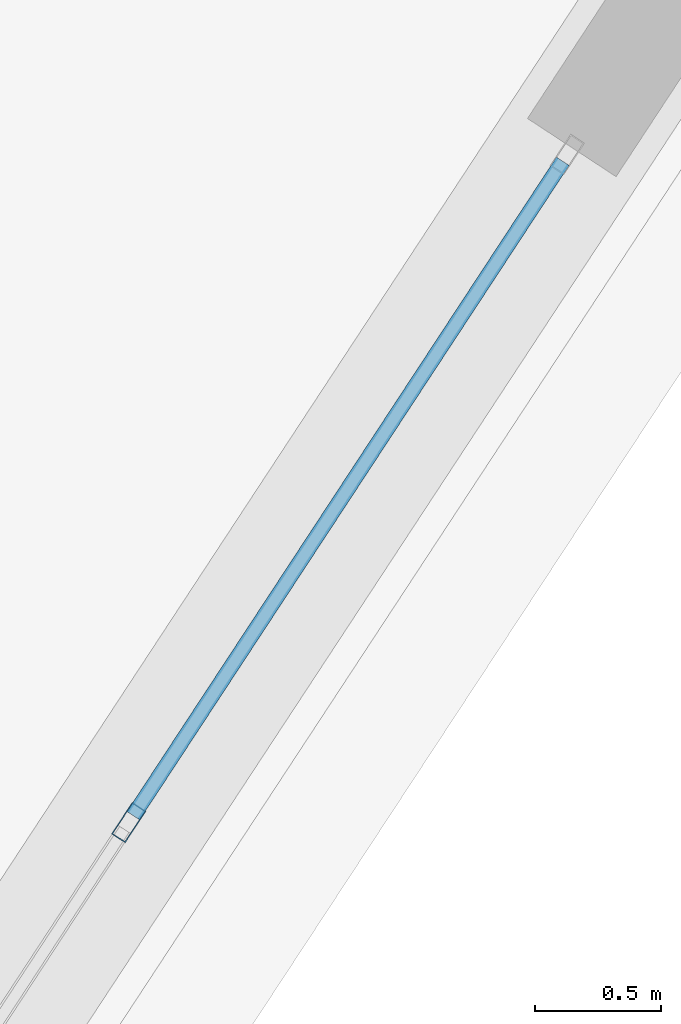
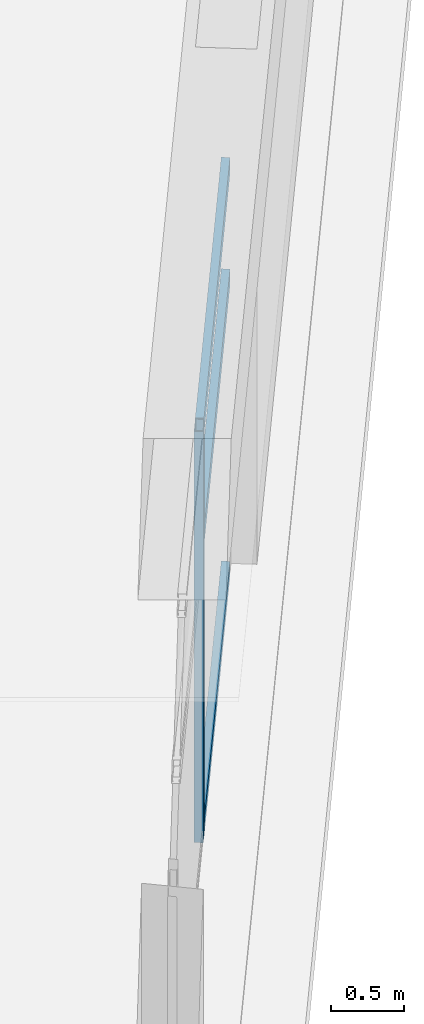
# One storey, part 6 of 30: 4 members, 1 element without a shape of its own.
"""IFC4 building model written with IfcOpenShell, lengths in metres."""

from ifc_helpers import new_model, si_unit, direction, frame, origin, origin_2d, place, context, subcontext, project, spatial, hollow_rectangle, extrude, source, transform, mapped, material, layer, layer_set, material_profile, profile_set, type_object, element, aggregate, save


model = new_model("IFC4")

# Units and contexts
model_context = context("Model", 3, precision=1e-05, world=origin(), true_north=direction((0.0, 1.0)))
body_context = subcontext(model_context, "Body", "Model", "MODEL_VIEW")
ifc_project = project(units=[si_unit("LENGTHUNIT", "METRE"), si_unit("AREAUNIT", "SQUARE_METRE"), si_unit("VOLUMEUNIT", "CUBIC_METRE"), si_unit("PLANEANGLEUNIT", "RADIAN"), si_unit("MASSUNIT", "GRAM", prefix="KILO")], contexts=[model_context])

# Site, building, storey
site_placement = place(None, origin())
site = spatial("IfcSite", under=ifc_project, at=site_placement, CompositionType="ELEMENT")
building_placement = place(site_placement, origin())
building = spatial("IfcBuilding", under=site, at=building_placement, Name="Liaohun Quay Tower", CompositionType="ELEMENT")
storey_placement = place(building_placement, frame((0.0, 0.0, 97.5)))
storey = spatial("IfcBuildingStorey", under=building, at=storey_placement, Name="L25", CompositionType="ELEMENT", Elevation=97.5)

# Curtain wall, members
ifc_material_1 = material(Name="Low-rise sky-lobby belvedere curtain wall")
ifc_layer = layer(ifc_material_1, 0.199951171875, Name="Low-rise sky-lobby belvedere curtain wall")
ifc_layer_set = layer_set([ifc_layer], Name="Low-rise sky-lobby belvedere curtain wall")
curtain_wall_type = type_object("IfcCurtainWallType", Name="CW-SKY-L25", PredefinedType="NOTDEFINED", material=ifc_layer_set)
curtain_wall_placement = place(storey_placement, origin())
curtain_wall = element("IfcCurtainWall", 1, at=curtain_wall_placement, inside=storey, type_object=curtain_wall_type, Name="L25 Panoramic Belvedere Curtain Wall 01", PredefinedType="NOTDEFINED")
ifc_material_2 = material(Name="Anodised aluminium 6063-T6", Category="aluminium")
ifc_material_profile_1 = material_profile(ifc_material_2, hollow_rectangle(XDim=0.06494140625, YDim=0.14990234375, WallThickness=0.00390625, at=origin_2d()), Name="RHS150x65x4")
ifc_profile_set_1 = profile_set([ifc_material_profile_1], Name="Anodised aluminium 6063-T6")
member_type_1 = type_object("IfcMemberType", Name="MEM-CWM-SKY", PredefinedType="MULLION", material=ifc_profile_set_1)
shared_shape_1 = source(origin(), body_context, "Body", "SweptSolid", [
    extrude(hollow_rectangle(XDim=0.06494140625, YDim=0.14990234375, WallThickness=0.00390625, at=origin_2d()), origin(), (0.0, 0.0, 1.0), 3.419921875),
])
member_1_placement = place(storey_placement, frame((75.431884765625, 28.783447265625, 0.0), z_axis=(0.0, 0.0, 1.0), x_axis=(-0.836018795372, 0.548700805343, 0.0)))
member_1 = element("IfcMember", 2, at=member_1_placement, type_object=member_type_1, Name="CW3 mullion 2", PredefinedType="MULLION", context=body_context, shape_type="MappedRepresentation", body=[
    mapped(shared_shape_1, transform((0.0, 0.0, 0.0), x_axis=(1.0, 0.0, 0.0), y_axis=(0.0, 1.0, 0.0), z_axis=(0.0, 0.0, 1.0), scale=1.0)),
])
ifc_material_profile_2 = material_profile(ifc_material_2, hollow_rectangle(XDim=0.06005859375, YDim=0.135009765625, WallThickness=0.00390625, at=origin_2d()), Name="RHS135x60x4")
ifc_profile_set_2 = profile_set([ifc_material_profile_2], Name="Anodised aluminium 6063-T6")
member_type_2 = type_object("IfcMemberType", Name="MEM-CWT-SKY", PredefinedType="USERDEFINED", material=ifc_profile_set_2)
shared_shape_2 = source(origin(), body_context, "Body", "SweptSolid", [
    extrude(hollow_rectangle(XDim=0.06005859375, YDim=0.135009765625, WallThickness=0.00390625, at=origin_2d()), origin(), (0.0, 0.0, 1.0), 3.1025390625),
])
member_2_placement = place(storey_placement, frame((75.449951171875, 28.810791015625, 0.030029296875), z_axis=(0.548711443338, 0.836011813284, 0.0), x_axis=(-0.836011813284, 0.548711443338, 0.0)))
member_2 = element("IfcMember", 3, at=member_2_placement, type_object=member_type_2, Name="CW3 transom 2.1", ObjectType="TRANSOM", PredefinedType="USERDEFINED", context=body_context, shape_type="MappedRepresentation", body=[
    mapped(shared_shape_2, transform((0.0, 0.0, 0.0), x_axis=(1.0, 0.0, 0.0), y_axis=(0.0, 1.0, 0.0), z_axis=(0.0, 0.0, 1.0), scale=1.0)),
])
member_3_placement = place(storey_placement, frame((75.449951171875, 28.810791015625, 2.4619140625), z_axis=(0.548711443338, 0.836011813284, 0.0), x_axis=(-0.836011813284, 0.548711443338, 0.0)))
member_3 = element("IfcMember", 4, at=member_3_placement, type_object=member_type_2, Name="CW3 transom 2.2", ObjectType="TRANSOM", PredefinedType="USERDEFINED", context=body_context, shape_type="MappedRepresentation", body=[
    mapped(shared_shape_2, transform((0.0, 0.0, 0.0), x_axis=(1.0, 0.0, 0.0), y_axis=(0.0, 1.0, 0.0), z_axis=(0.0, 0.0, 1.0), scale=1.0)),
])
member_4_placement = place(storey_placement, frame((75.449951171875, 28.810791015625, 3.389892578125), z_axis=(0.548711443338, 0.836011813284, 0.0), x_axis=(-0.836011813284, 0.548711443338, 0.0)))
member_4 = element("IfcMember", 5, at=member_4_placement, type_object=member_type_2, Name="CW3 transom 2.3", ObjectType="TRANSOM", PredefinedType="USERDEFINED", context=body_context, shape_type="MappedRepresentation", body=[
    mapped(shared_shape_2, transform((0.0, 0.0, 0.0), x_axis=(1.0, 0.0, 0.0), y_axis=(0.0, 1.0, 0.0), z_axis=(0.0, 0.0, 1.0), scale=1.0)),
])
aggregate(curtain_wall, [member_1, member_2, member_3, member_4])

save(model, "model.ifc")
